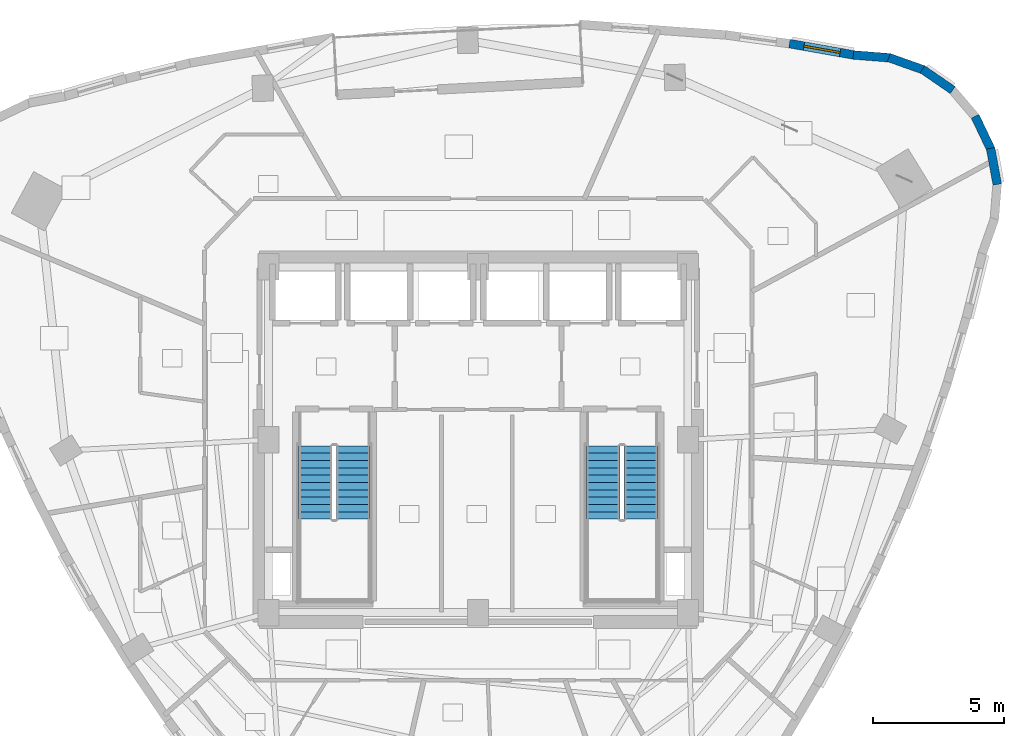
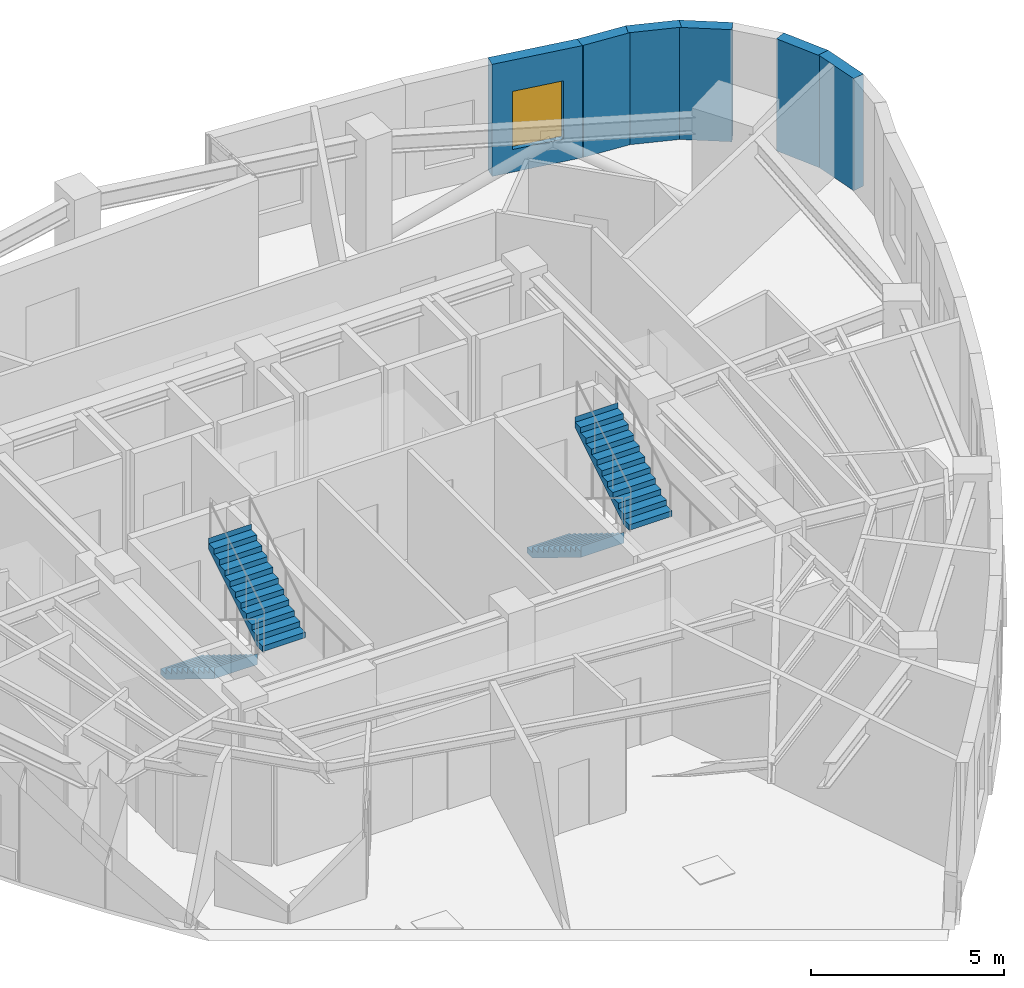
# One storey, part 9 of 12: 6 walls, 4 stair flights, 1 window, 1 opening, 2 elements without a shape of their own.
"""IFC4 building model written with IfcOpenShell, lengths in metres."""

from ifc_helpers import new_model, si_unit, direction, frame, frame_2d, origin, place, context, subcontext, project, spatial, polyline, rectangle, outline, extrude, material, layer, layer_set, type_object, element, fill, aggregate, save


model = new_model("IFC4")

# Units and contexts
model_context = context("Model", 3, precision=1e-05, world=origin(), true_north=direction((0.0, 1.0)))
body_context = subcontext(model_context, "Body", "Model", "MODEL_VIEW")
ifc_project = project(units=[si_unit("LENGTHUNIT", "METRE"), si_unit("AREAUNIT", "SQUARE_METRE"), si_unit("VOLUMEUNIT", "CUBIC_METRE"), si_unit("PLANEANGLEUNIT", "RADIAN"), si_unit("MASSUNIT", "GRAM", prefix="KILO")], contexts=[model_context])

# Site, building, storey
site_placement = place(None, origin())
site = spatial("IfcSite", under=ifc_project, at=site_placement, CompositionType="ELEMENT")
building_placement = place(site_placement, origin())
building = spatial("IfcBuilding", under=site, at=building_placement, Name="Ndelora Gate Hotel", CompositionType="ELEMENT")
storey_placement = place(building_placement, frame((0.0, 0.0, 220.75)))
storey = spatial("IfcBuildingStorey", under=building, at=storey_placement, Name="L55", CompositionType="ELEMENT", Elevation=220.75)

# Walls
ifc_material_1 = material(Name="Clay Brick Masonry", Category="masonry")
ifc_layer = layer(ifc_material_1, 0.330078125)
ifc_layer_set = layer_set([ifc_layer], Name="Clay Brick Masonry")
wall_type = type_object("IfcWallType", Name="WL-BRICK-330", PredefinedType="SOLIDWALL", material=ifc_layer_set)
for number, where, z_axis, x_axis, name in (
    (1, (19.5576171875, 11.12353515625, 0.0), (0.0, 0.0, 1.0), (0.182319094132, -0.983239415359, 0.0), "L55 Tower Brick Pier-and-Spandrel Wall TWR-43"),
    (2, (18.966796875, 12.3466796875, 0.0), (0.0, 0.0, 1.0), (0.430694266873, -0.902497893894, 0.0), "L55 Tower Brick Pier-and-Spandrel Wall TWR-44"),
    (3, (16.956787109375, 14.1396484375, 0.0), (0.0, 0.0, 1.0), (0.824067227947, -0.566492015675, 0.0), "L55 Tower Brick Pier-and-Spandrel Wall TWR-46"),
):
    element("IfcWall", number, at=place(storey_placement, frame(where, z_axis=z_axis, x_axis=x_axis)), inside=storey, type_object=wall_type, Name=name, PredefinedType="SOLIDWALL", context=body_context, shape_type="SweptSolid", body=[
        extrude(rectangle(XDim=1.407470703125, YDim=0.330078125, at=frame_2d((0.70361328125, 0.0))), origin(), (0.0, 0.0, 1.0), 3.550048828125),
    ])
wall_1_placement = place(storey_placement, frame((15.674072265625, 14.5869140625, 0.0), z_axis=(0.0, 0.0, 1.0), x_axis=(0.942676111555, -0.333709077945, 0.0)))
element("IfcWall", 4, at=wall_1_placement, inside=storey, type_object=wall_type, Name="L55 Tower Brick Pier-and-Spandrel Wall TWR-47", PredefinedType="SOLIDWALL", context=body_context, shape_type="SweptSolid", body=[
    extrude(rectangle(XDim=1.40771484375, YDim=0.330078125, at=frame_2d((0.703857421875, 0.0))), origin(), (0.0, 0.0, 1.0), 3.550048828125),
])
wall_2_placement = place(storey_placement, frame((14.319580078125, 14.68701171875, 0.0), z_axis=(0.0, 0.0, 1.0), x_axis=(0.996907811278, -0.07857999626, 0.0)))
element("IfcWall", 5, at=wall_2_placement, inside=storey, type_object=wall_type, Name="L55 Tower Brick Pier-and-Spandrel Wall TWR-48", PredefinedType="SOLIDWALL", context=body_context, shape_type="SweptSolid", body=[
    extrude(rectangle(XDim=1.407470703125, YDim=0.330078125, at=frame_2d((0.70361328125, 0.0))), origin(), (0.0, 0.0, 1.0), 3.550048828125),
])

# Wall, opening, window
wall_3_placement = place(storey_placement, frame((11.87890625, 15.12158203125, 0.0), z_axis=(0.0, 0.0, 1.0), x_axis=(0.984681334456, -0.174363613102, 0.0)))
wall_3 = element("IfcWall", 6, at=wall_3_placement, inside=storey, type_object=wall_type, Name="L55 Tower Brick Pier-and-Spandrel Wall TWR-49", PredefinedType="SOLIDWALL", context=body_context, shape_type="SweptSolid", body=[
    extrude(rectangle(XDim=2.52880859375, YDim=0.330078125, at=frame_2d((1.264404296875, 0.0))), origin(), (0.0, 0.0, 1.0), 3.550048828125),
])
opening_placement = place(wall_3_placement, frame((0.564453125, 0.0, 0.719970703125)))
opening = element("IfcOpeningElement", 7, at=opening_placement, cuts=wall_3, Name="Opening W02", PredefinedType="OPENING", context=body_context, shape_type="SweptSolid", body=[
    extrude(rectangle(XDim=1.39990234375, YDim=1.840087890625, at=frame_2d((0.699951171875, 0.919921875))), frame((0.0, 0.175048828125, 0.0), z_axis=(0.0, -1.0, 0.0), x_axis=(1.0, 0.0, 0.0)), (0.0, 0.0, 1.0), 0.35009765625),
])
ifc_material_2 = material(Name="Insulated Low-E Double Glazing in Bronze Aluminium Frame", Category="aluminium")
window_type = type_object("IfcWindowType", Name="WN-DEEP-1400", PartitioningType="SINGLE_PANEL", PredefinedType="WINDOW", material=ifc_material_2)
window_placement = place(opening_placement, origin())
window = element("IfcWindow", 8, at=window_placement, inside=storey, type_object=window_type, Name="L55 Deep-Set Brick-Pier Window W02", OverallHeight=1.840087890625, OverallWidth=1.39990234375, PartitioningType="SINGLE_PANEL", PredefinedType="WINDOW", context=body_context, shape_type="SweptSolid", body=[
    extrude(rectangle(XDim=1.39990234375, YDim=1.840087890625, at=frame_2d((0.699951171875, 0.919921875))), frame((0.0, 0.030029296875, 0.0), z_axis=(0.0, -1.0, 0.0), x_axis=(1.0, 0.0, 0.0)), (0.0, 0.0, 1.0), 0.06005859375),
])
fill(opening, window)

# Stair, stair flights
ifc_material_3 = material(Name="Precast concrete C40/50", Category="concrete")
stair_type = type_object("IfcStairType", Name="STR-DOG-CORE", PredefinedType="HALF_TURN_STAIR", material=ifc_material_3)
stair_1_placement = place(storey_placement, origin())
stair_1 = element("IfcStair", 9, at=stair_1_placement, inside=storey, type_object=stair_type, Name="L55 Protected Core Exit Stair ST4", PredefinedType="HALF_TURN_STAIR")
stair_flight_type = type_object("IfcStairFlightType", Name="STF-PRECAST", PredefinedType="STRAIGHT", material=ifc_material_3)
stair_flight_1_placement = place(storey_placement, frame((-6.2099609375, -0.22998046875, 0.0), z_axis=(0.0, 0.0, 1.0), x_axis=(0.0, -1.0, 0.0)))
stair_flight_1 = element("IfcStairFlight", 10, at=stair_flight_1_placement, type_object=stair_flight_type, Name="ST4 flight 1", NumberOfRisers=11, NumberOfTreads=10, PredefinedType="STRAIGHT", RiserHeight=0.172727273, TreadLength=0.28, context=body_context, shape_type="SweptSolid", body=[
    extrude(outline(polyline([(-0.00048828125, 0.0), (-0.00048828125, 0.172607421875), (0.0, 0.172607421875), (0.280029296875, 0.172607421875), (0.280029296875, 0.345458984375), (0.56005859375, 0.345458984375), (0.56005859375, 0.51806640625), (0.840087890625, 0.51806640625), (0.840087890625, 0.69091796875), (1.1201171875, 0.69091796875), (1.1201171875, 0.863525390625), (1.39990234375, 0.863525390625), (1.39990234375, 1.036376953125), (1.679931640625, 1.036376953125), (1.679931640625, 1.208984375), (1.9599609375, 1.208984375), (1.9599609375, 1.3818359375), (2.239990234375, 1.3818359375), (2.239990234375, 1.554443359375), (2.52001953125, 1.554443359375), (2.52001953125, 1.727294921875), (2.800048828125, 1.727294921875), (2.800048828125, 1.89990234375), (2.800537109375, 1.89990234375), (2.800537109375, 1.719970703125), (2.800048828125, 1.551025390625), (0.285400390625, 0.0), (-0.00048828125, 0.0)])), frame((0.0, 0.64013671875, 0.0), z_axis=(0.0, -1.0, 0.0), x_axis=(1.0, 0.0, 0.0)), (0.0, 0.0, 1.0), 1.280029296875),
])
stair_flight_2_placement = place(storey_placement, frame((-4.77001953125, -3.030029296875, 1.89990234375), z_axis=(0.0, 0.0, 1.0), x_axis=(0.0, 1.0, 0.0)))
stair_flight_2 = element("IfcStairFlight", 11, at=stair_flight_2_placement, type_object=stair_flight_type, Name="ST4 flight 2", NumberOfRisers=11, NumberOfTreads=10, PredefinedType="STRAIGHT", RiserHeight=0.172727273, TreadLength=0.28, context=body_context, shape_type="SweptSolid", body=[
    extrude(outline(polyline([(-0.00048828125, 0.0), (-0.00048828125, 0.172607421875), (0.0, 0.172607421875), (0.280029296875, 0.172607421875), (0.280029296875, 0.345458984375), (0.56005859375, 0.345458984375), (0.56005859375, 0.51806640625), (0.840087890625, 0.51806640625), (0.840087890625, 0.69091796875), (1.1201171875, 0.69091796875), (1.1201171875, 0.863525390625), (1.39990234375, 0.863525390625), (1.39990234375, 1.036376953125), (1.679931640625, 1.036376953125), (1.679931640625, 1.208984375), (1.9599609375, 1.208984375), (1.9599609375, 1.3818359375), (2.239990234375, 1.3818359375), (2.239990234375, 1.554443359375), (2.52001953125, 1.554443359375), (2.52001953125, 1.727294921875), (2.800048828125, 1.727294921875), (2.800048828125, 1.89990234375), (2.800537109375, 1.89990234375), (2.800537109375, 1.719970703125), (2.800048828125, 1.551025390625), (0.285400390625, 0.0), (-0.00048828125, 0.0)])), frame((0.0, 0.64013671875, 0.0), z_axis=(0.0, -1.0, 0.0), x_axis=(1.0, 0.0, 0.0)), (0.0, 0.0, 1.0), 1.280029296875),
])
aggregate(stair_1, [stair_flight_1, stair_flight_2])

stair_2_placement = place(storey_placement, origin())
stair_2 = element("IfcStair", 12, at=stair_2_placement, inside=storey, type_object=stair_type, Name="L55 Protected Core Exit Stair ST5", PredefinedType="HALF_TURN_STAIR")
stair_flight_3_placement = place(storey_placement, frame((4.77001953125, -0.22998046875, 0.0), z_axis=(0.0, 0.0, 1.0), x_axis=(0.0, -1.0, 0.0)))
stair_flight_3 = element("IfcStairFlight", 13, at=stair_flight_3_placement, type_object=stair_flight_type, Name="ST5 flight 1", NumberOfRisers=11, NumberOfTreads=10, PredefinedType="STRAIGHT", RiserHeight=0.172727273, TreadLength=0.28, context=body_context, shape_type="SweptSolid", body=[
    extrude(outline(polyline([(-0.00048828125, 0.0), (-0.00048828125, 0.172607421875), (0.0, 0.172607421875), (0.280029296875, 0.172607421875), (0.280029296875, 0.345458984375), (0.56005859375, 0.345458984375), (0.56005859375, 0.51806640625), (0.840087890625, 0.51806640625), (0.840087890625, 0.69091796875), (1.1201171875, 0.69091796875), (1.1201171875, 0.863525390625), (1.39990234375, 0.863525390625), (1.39990234375, 1.036376953125), (1.679931640625, 1.036376953125), (1.679931640625, 1.208984375), (1.9599609375, 1.208984375), (1.9599609375, 1.3818359375), (2.239990234375, 1.3818359375), (2.239990234375, 1.554443359375), (2.52001953125, 1.554443359375), (2.52001953125, 1.727294921875), (2.800048828125, 1.727294921875), (2.800048828125, 1.89990234375), (2.800537109375, 1.89990234375), (2.800537109375, 1.719970703125), (2.800048828125, 1.551025390625), (0.285400390625, 0.0), (-0.00048828125, 0.0)])), frame((0.0, 0.64013671875, 0.0), z_axis=(0.0, -1.0, 0.0), x_axis=(1.0, 0.0, 0.0)), (0.0, 0.0, 1.0), 1.280029296875),
])
stair_flight_4_placement = place(storey_placement, frame((6.2099609375, -3.030029296875, 1.89990234375), z_axis=(0.0, 0.0, 1.0), x_axis=(0.0, 1.0, 0.0)))
stair_flight_4 = element("IfcStairFlight", 14, at=stair_flight_4_placement, type_object=stair_flight_type, Name="ST5 flight 2", NumberOfRisers=11, NumberOfTreads=10, PredefinedType="STRAIGHT", RiserHeight=0.172727273, TreadLength=0.28, context=body_context, shape_type="SweptSolid", body=[
    extrude(outline(polyline([(-0.00048828125, 0.0), (-0.00048828125, 0.172607421875), (0.0, 0.172607421875), (0.280029296875, 0.172607421875), (0.280029296875, 0.345458984375), (0.56005859375, 0.345458984375), (0.56005859375, 0.51806640625), (0.840087890625, 0.51806640625), (0.840087890625, 0.69091796875), (1.1201171875, 0.69091796875), (1.1201171875, 0.863525390625), (1.39990234375, 0.863525390625), (1.39990234375, 1.036376953125), (1.679931640625, 1.036376953125), (1.679931640625, 1.208984375), (1.9599609375, 1.208984375), (1.9599609375, 1.3818359375), (2.239990234375, 1.3818359375), (2.239990234375, 1.554443359375), (2.52001953125, 1.554443359375), (2.52001953125, 1.727294921875), (2.800048828125, 1.727294921875), (2.800048828125, 1.89990234375), (2.800537109375, 1.89990234375), (2.800537109375, 1.719970703125), (2.800048828125, 1.551025390625), (0.285400390625, 0.0), (-0.00048828125, 0.0)])), frame((0.0, 0.64013671875, 0.0), z_axis=(0.0, -1.0, 0.0), x_axis=(1.0, 0.0, 0.0)), (0.0, 0.0, 1.0), 1.280029296875),
])
aggregate(stair_2, [stair_flight_3, stair_flight_4])

save(model, "model.ifc")
